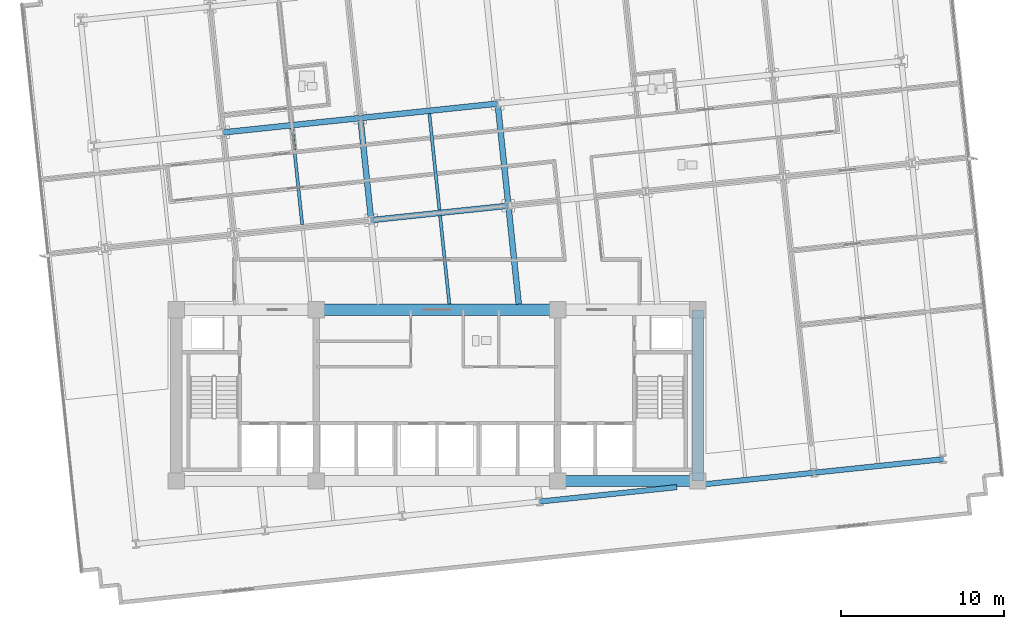
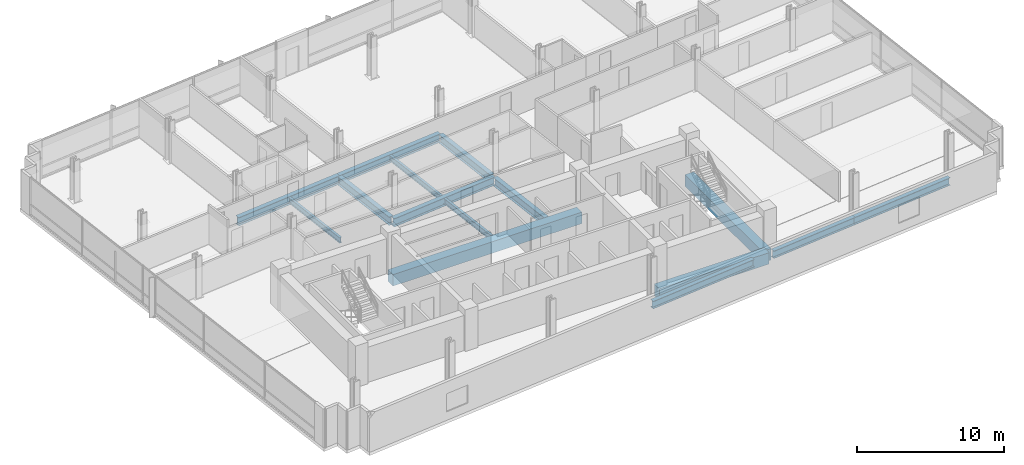
# One storey, part 5 of 21: 15 beams.
"""IFC4 building model written with IfcOpenShell, lengths in metres."""

from ifc_helpers import new_model, si_unit, direction, frame, origin, origin_2d, place, context, subcontext, project, spatial, rectangle, i_section, extrude, material, material_profile, profile_set, type_object, element, save


model = new_model("IFC4")

# Units and contexts
model_context = context("Model", 3, precision=1e-05, world=origin(), true_north=direction((0.0, 1.0)))
body_context = subcontext(model_context, "Body", "Model", "MODEL_VIEW")
ifc_project = project(units=[si_unit("LENGTHUNIT", "METRE"), si_unit("AREAUNIT", "SQUARE_METRE"), si_unit("VOLUMEUNIT", "CUBIC_METRE"), si_unit("PLANEANGLEUNIT", "RADIAN"), si_unit("MASSUNIT", "GRAM", prefix="KILO")], contexts=[model_context])

# Site, building, storey
site_placement = place(None, origin())
site = spatial("IfcSite", under=ifc_project, at=site_placement, CompositionType="ELEMENT")
building_placement = place(site_placement, origin())
building = spatial("IfcBuilding", under=site, at=building_placement, Name="Solmavex Isthmus Hotel", CompositionType="ELEMENT")
storey_placement = place(building_placement, frame((0.0, 0.0, 106.35009765625)))
storey = spatial("IfcBuildingStorey", under=building, at=storey_placement, Name="L28", CompositionType="ELEMENT", Elevation=106.35009765625)

# Beams
ifc_material_1 = material(Name="Steel ASTM A992 Grade 50", Category="steel")
ifc_material_profile_1 = material_profile(ifc_material_1, i_section(OverallWidth=0.354736328125, OverallDepth=0.695556640625, WebThickness=0.015380859375, FlangeThickness=0.02490234375, FilletRadius=0.017822265625, at=origin_2d()), Name="W27X146")
ifc_profile_set_1 = profile_set([ifc_material_profile_1], Name="Steel ASTM A992 Grade 50")
beam_type_1 = type_object("IfcBeamType", Name="BM-BG-W27X146", PredefinedType="BEAM", material=ifc_profile_set_1)
beam_1_placement = place(storey_placement, frame((-4.0390625, 3.003662109375, -0.60791015625), z_axis=(0.994523767887, 0.104510645909, 0.0), x_axis=(-0.104510645909, 0.994523767887, 0.0)))
element("IfcBeam", 1, at=beam_1_placement, inside=storey, type_object=beam_type_1, Name="Floor Girder L28-UG09", PredefinedType="BEAM", context=body_context, shape_type="SweptSolid", body=[
    extrude(i_section(OverallWidth=0.354736328125, OverallDepth=0.695556640625, WebThickness=0.015380859375, FlangeThickness=0.02490234375, FilletRadius=0.017822265625, at=origin_2d()), origin(), (0.0, 0.0, 1.0), 8.4658203125),
])
for number, where, z_axis, x_axis, name in (
    (2, (-13.1171875, 8.382080078125, -0.60791015625), (0.994521085209, 0.104536171134, 0.0), (-0.104536171134, 0.994521085209, 0.0), "Floor Girder L28-UG14"),
    (3, (-4.697509765625, 9.26708984375, -0.60791015625), (0.994521085209, 0.104536171134, 0.0), (-0.104536171134, 0.994521085209, 0.0), "Floor Girder L28-UG15"),
):
    element("IfcBeam", number, at=place(storey_placement, frame(where, z_axis=z_axis, x_axis=x_axis)), inside=storey, type_object=beam_type_1, Name=name, PredefinedType="BEAM", context=body_context, shape_type="SweptSolid", body=[
        extrude(i_section(OverallWidth=0.354736328125, OverallDepth=0.695556640625, WebThickness=0.015380859375, FlangeThickness=0.02490234375, FilletRadius=0.017822265625, at=origin_2d()), origin(), (0.0, 0.0, 1.0), 8.466064453125),
    ])
beam_2_placement = place(storey_placement, frame((-4.0576171875, 3.179931640625, -0.60791015625), z_axis=(-0.104545790518, 0.994520074048, 0.0), x_axis=(-0.994520074048, -0.104545790518, 0.0)))
element("IfcBeam", 4, at=beam_2_placement, inside=storey, type_object=beam_type_1, Name="Floor Beam L28-VG34", PredefinedType="BEAM", context=body_context, shape_type="SweptSolid", body=[
    extrude(i_section(OverallWidth=0.354736328125, OverallDepth=0.695556640625, WebThickness=0.015380859375, FlangeThickness=0.02490234375, FilletRadius=0.017822265625, at=origin_2d()), origin(), (0.0, 0.0, 1.0), 5.943115234375),
])
beam_3_placement = place(storey_placement, frame((5.01513671875, -2.14990234375, -0.60791015625), z_axis=(-0.104542482388, 0.994520421799, 0.0), x_axis=(-0.994520421799, -0.104542482388, 0.0)))
element("IfcBeam", 5, at=beam_3_placement, inside=storey, type_object=beam_type_1, Name="Floor Beam L28-VG37", PredefinedType="BEAM", context=body_context, shape_type="SweptSolid", body=[
    extrude(i_section(OverallWidth=0.354736328125, OverallDepth=0.695556640625, WebThickness=0.015380859375, FlangeThickness=0.02490234375, FilletRadius=0.017822265625, at=origin_2d()), origin(), (0.0, 0.0, 1.0), 5.894287109375),
])
beam_4_placement = place(storey_placement, frame((4.362060546875, 4.06494140625, -0.60791015625), z_axis=(-0.104545790518, 0.994520074048, 0.0), x_axis=(-0.994520074048, -0.104545790518, 0.0)))
element("IfcBeam", 6, at=beam_4_placement, inside=storey, type_object=beam_type_1, Name="Floor Beam L28-VG38", PredefinedType="BEAM", context=body_context, shape_type="SweptSolid", body=[
    extrude(i_section(OverallWidth=0.354736328125, OverallDepth=0.695556640625, WebThickness=0.015380859375, FlangeThickness=0.02490234375, FilletRadius=0.017822265625, at=origin_2d()), origin(), (0.0, 0.0, 1.0), 5.943115234375),
])
ifc_material_profile_2 = material_profile(ifc_material_1, i_section(OverallWidth=0.1904296875, OverallDepth=0.456787109375, WebThickness=0.009033203125, FlangeThickness=0.014404296875, FilletRadius=0.0126953125, at=origin_2d()), Name="W18X50")
ifc_profile_set_2 = profile_set([ifc_material_profile_2], Name="Steel ASTM A992 Grade 50")
beam_type_2 = type_object("IfcBeamType", Name="BM-BJ-W18X50", PredefinedType="JOIST", material=ifc_profile_set_2)
beam_5_placement = place(storey_placement, frame((-8.267578125, 2.737548828125, -0.488525390625), z_axis=(-0.104505160346, 0.994524344328, 0.0), x_axis=(-0.994524344328, -0.104505160346, 0.0)))
element("IfcBeam", 7, at=beam_5_placement, inside=storey, type_object=beam_type_2, Name="Secondary Floor Joist L28-J07", PredefinedType="JOIST", context=body_context, shape_type="SweptSolid", body=[
    extrude(i_section(OverallWidth=0.1904296875, OverallDepth=0.456787109375, WebThickness=0.009033203125, FlangeThickness=0.014404296875, FilletRadius=0.0126953125, at=origin_2d()), origin(), (0.0, 0.0, 1.0), 5.943115234375),
])
beam_6_placement = place(storey_placement, frame((0.7587890625, -2.14990234375, -0.488525390625), z_axis=(-0.104523862956, 0.99452237887, 0.0), x_axis=(-0.99452237887, -0.104523862956, 0.0)))
element("IfcBeam", 8, at=beam_6_placement, inside=storey, type_object=beam_type_2, Name="Secondary Floor Joist L28-J10", PredefinedType="JOIST", context=body_context, shape_type="SweptSolid", body=[
    extrude(i_section(OverallWidth=0.1904296875, OverallDepth=0.456787109375, WebThickness=0.009033203125, FlangeThickness=0.014404296875, FilletRadius=0.0126953125, at=origin_2d()), origin(), (0.0, 0.0, 1.0), 5.44921875),
])
beam_7_placement = place(storey_placement, frame((0.152099609375, 3.62255859375, -0.488525390625), z_axis=(-0.104505160346, 0.994524344328, 0.0), x_axis=(-0.994524344328, -0.104505160346, 0.0)))
element("IfcBeam", 9, at=beam_7_placement, inside=storey, type_object=beam_type_2, Name="Secondary Floor Joist L28-J11", PredefinedType="JOIST", context=body_context, shape_type="SweptSolid", body=[
    extrude(i_section(OverallWidth=0.1904296875, OverallDepth=0.456787109375, WebThickness=0.009033203125, FlangeThickness=0.014404296875, FilletRadius=0.0126953125, at=origin_2d()), origin(), (0.0, 0.0, 1.0), 5.943115234375),
])
ifc_material_2 = material(Name="Concrete C60/75", Category="concrete")
ifc_material_profile_3 = material_profile(ifc_material_2, rectangle(XDim=0.699951171875, YDim=0.949951171875, at=origin_2d()), Name="RC700X950")
ifc_profile_set_3 = profile_set([ifc_material_profile_3], Name="Concrete C60/75")
beam_type_3 = type_object("IfcBeamType", Name="BM-CB-700X950", PredefinedType="BEAM", material=ifc_profile_set_3)
beam_8_placement = place(storey_placement, frame((7.39990234375, -13.0, -0.735107421875), z_axis=(1.0, 0.0, 0.0), x_axis=(0.0, 1.0, 0.0)))
element("IfcBeam", 10, at=beam_8_placement, inside=storey, type_object=beam_type_3, Name="Core Coupling Beam L28-CB3", PredefinedType="BEAM", context=body_context, shape_type="SweptSolid", body=[
    extrude(rectangle(XDim=0.699951171875, YDim=0.949951171875, at=origin_2d()), origin(), (0.0, 0.0, 1.0), 8.60009765625),
])
beam_9_placement = place(storey_placement, frame((-7.39990234375, -2.5, -0.735107421875), z_axis=(1.0, 0.0, 0.0), x_axis=(0.0, 1.0, 0.0)))
element("IfcBeam", 11, at=beam_9_placement, inside=storey, type_object=beam_type_3, Name="Core Coupling Beam L28-CB5", PredefinedType="BEAM", context=body_context, shape_type="SweptSolid", body=[
    extrude(rectangle(XDim=0.699951171875, YDim=0.949951171875, at=origin_2d()), origin(), (0.0, 0.0, 1.0), 14.7998046875),
])
beam_10_placement = place(storey_placement, frame((16.0, -13.0, -0.735107421875), z_axis=(0.0, 1.0, 0.0), x_axis=(-1.0, 0.0, 0.0)))
element("IfcBeam", 12, at=beam_10_placement, inside=storey, type_object=beam_type_3, Name="Core Coupling Beam L28-CB8", PredefinedType="BEAM", context=body_context, shape_type="SweptSolid", body=[
    extrude(rectangle(XDim=0.699951171875, YDim=0.949951171875, at=origin_2d()), origin(), (0.0, 0.0, 1.0), 10.5),
])
ifc_material_profile_4 = material_profile(ifc_material_1, i_section(OverallWidth=0.326416015625, OverallDepth=0.621826171875, WebThickness=0.015380859375, FlangeThickness=0.0244140625, FilletRadius=0.01513671875, at=origin_2d()), Name="W24X131")
ifc_profile_set_4 = profile_set([ifc_material_profile_4], Name="Steel ASTM A992 Grade 50")
beam_type_4 = type_object("IfcBeamType", Name="BM-SP-W24X131", PredefinedType="SPANDREL", material=ifc_profile_set_4)
beam_11_placement = place(storey_placement, frame((6.2880859375, -14.261474609375, -0.571044921875), z_axis=(0.994524082861, 0.104507648572, 0.0), x_axis=(-0.104507648572, 0.994524082861, 0.0)))
element("IfcBeam", 13, at=beam_11_placement, inside=storey, type_object=beam_type_4, Name="Floor Girder L28-UG04", PredefinedType="SPANDREL", context=body_context, shape_type="SweptSolid", body=[
    extrude(i_section(OverallWidth=0.326416015625, OverallDepth=0.621826171875, WebThickness=0.015380859375, FlangeThickness=0.0244140625, FilletRadius=0.01513671875, at=origin_2d()), origin(), (0.0, 0.0, 1.0), 8.466064453125),
])
beam_12_placement = place(storey_placement, frame((16.35009765625, -13.2041015625, -0.571044921875), z_axis=(0.994520754079, 0.10453932134, 0.0), x_axis=(-0.10453932134, 0.994520754079, 0.0)))
element("IfcBeam", 14, at=beam_12_placement, inside=storey, type_object=beam_type_4, Name="Floor Girder L28-UG05", PredefinedType="SPANDREL", context=body_context, shape_type="SweptSolid", body=[
    extrude(i_section(OverallWidth=0.326416015625, OverallDepth=0.621826171875, WebThickness=0.015380859375, FlangeThickness=0.0244140625, FilletRadius=0.01513671875, at=origin_2d()), origin(), (0.0, 0.0, 1.0), 6.814697265625),
])
beam_13_placement = place(storey_placement, frame((23.12744140625, -12.49169921875, -0.571044921875), z_axis=(0.994520217478, 0.10454442609, 0.0), x_axis=(-0.10454442609, 0.994520217478, 0.0)))
element("IfcBeam", 15, at=beam_13_placement, inside=storey, type_object=beam_type_4, Name="Floor Girder L28-UG06", PredefinedType="SPANDREL", context=body_context, shape_type="SweptSolid", body=[
    extrude(i_section(OverallWidth=0.326416015625, OverallDepth=0.621826171875, WebThickness=0.015380859375, FlangeThickness=0.0244140625, FilletRadius=0.01513671875, at=origin_2d()), origin(), (0.0, 0.0, 1.0), 7.968017578125),
])

save(model, "model.ifc")
